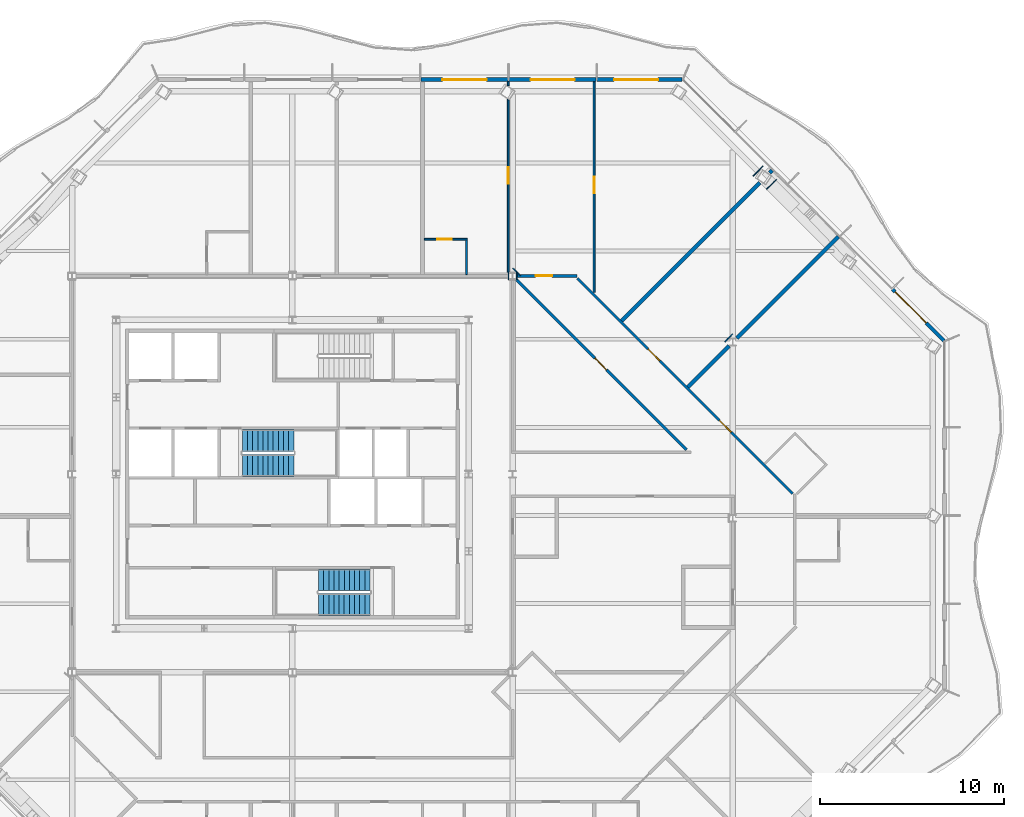
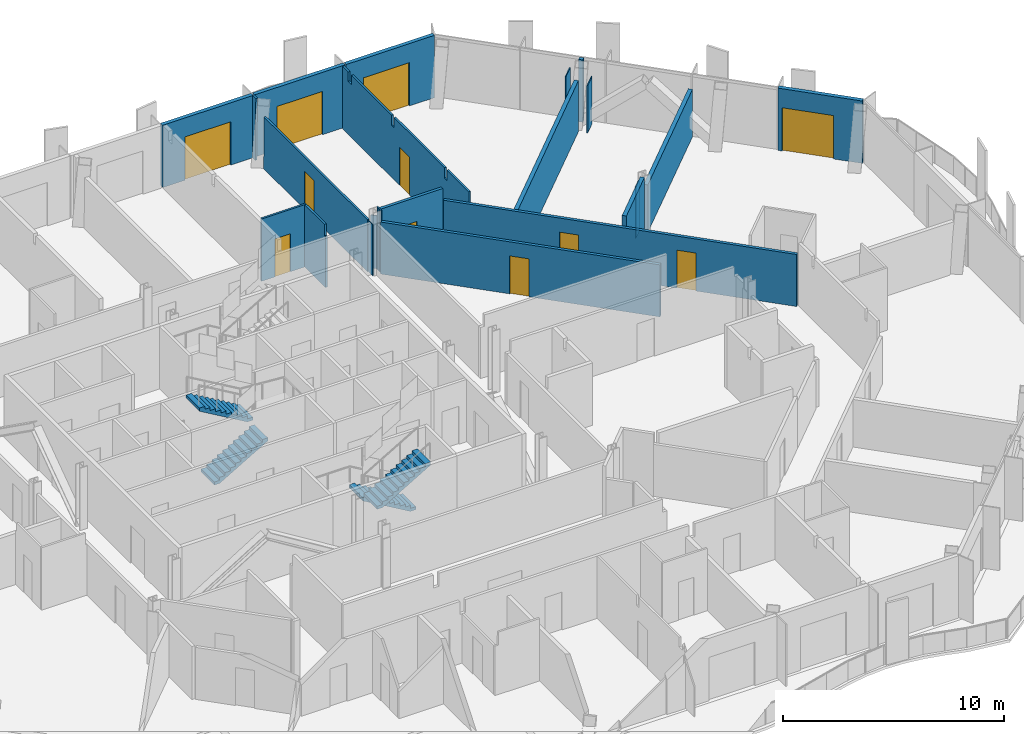
# One storey, part 12 of 19: 22 walls, 11 doors, 4 stair flights, 11 openings, 2 elements without a shape of their own.
"""IFC4 building model written with IfcOpenShell, lengths in metres."""

from ifc_helpers import new_model, si_unit, direction, frame, frame_2d, origin, place, context, subcontext, project, spatial, polyline, rectangle, outline, extrude, material, layer, layer_set, type_object, element, fill, aggregate, save


model = new_model("IFC4")

# Units and contexts
model_context = context("Model", 3, precision=1e-05, world=origin(), true_north=direction((0.0, 1.0)))
body_context = subcontext(model_context, "Body", "Model", "MODEL_VIEW")
ifc_project = project(units=[si_unit("LENGTHUNIT", "METRE"), si_unit("AREAUNIT", "SQUARE_METRE"), si_unit("VOLUMEUNIT", "CUBIC_METRE"), si_unit("PLANEANGLEUNIT", "RADIAN"), si_unit("MASSUNIT", "GRAM", prefix="KILO")], contexts=[model_context])

# Site, building, storey
site_placement = place(None, origin())
site = spatial("IfcSite", under=ifc_project, at=site_placement, CompositionType="ELEMENT")
building_placement = place(site_placement, origin())
building = spatial("IfcBuilding", under=site, at=building_placement, Name="Cairn Pilgrim Tower", CompositionType="ELEMENT")
storey_placement = place(building_placement, frame((0.0, 0.0, 197.39990234375)))
storey = spatial("IfcBuildingStorey", under=building, at=storey_placement, Name="L50", CompositionType="ELEMENT", Elevation=197.39990234375)

# Wall, opening, door
ifc_material_1 = material(Name="Bronze anodised aluminium insulated sandwich panel with mineral wool fill", Category="aluminium")
ifc_layer_1 = layer(ifc_material_1, 0.199951171875)
ifc_layer_set_1 = layer_set([ifc_layer_1], Name="BRONZE INFILL FRAME WALL 200")
wall_type_1 = type_object("IfcWallType", Name="BRONZE INFILL FRAME WALL 200", PredefinedType="NOTDEFINED", material=ifc_layer_set_1)
wall_1_placement = place(storey_placement, frame((42.69677734375, 9.6748046875, 0.0), z_axis=(0.0, 0.0, 1.0), x_axis=(-0.707137595296, 0.707075965734, 0.0)))
wall_1 = element("IfcWall", 1, at=wall_1_placement, inside=storey, type_object=wall_type_1, Name="Bronze infill frame wall IW-NE1", PredefinedType="NOTDEFINED", context=body_context, shape_type="SweptSolid", body=[
    extrude(rectangle(XDim=3.96142578125, YDim=0.199951171875, at=frame_2d((1.980712890625, 0.0))), origin(), (0.0, 0.0, 1.0), 3.4501953125),
])
opening_1_placement = place(wall_1_placement, frame((1.361572265625, 0.0, 0.0)))
opening_1 = element("IfcOpeningElement", 2, at=opening_1_placement, cuts=wall_1, Name="Opening 5005B2", PredefinedType="OPENING", context=body_context, shape_type="SweptSolid", body=[
    extrude(rectangle(XDim=2.39990234375, YDim=2.39990234375, at=frame_2d((1.199951171875, 1.199951171875))), frame((0.0, 0.10986328125, 0.0), z_axis=(0.0, -1.0, 0.0), x_axis=(1.0, 0.0, 0.0)), (0.0, 0.0, 1.0), 0.219970703125),
])
ifc_material_2 = material(Name="Bronze anodised aluminium frame with tinted low-E glass", Category="aluminium")
door_type_1 = type_object("IfcDoorType", Name="BALCONY SLIDING DOOR 2400x2400", OperationType="DOUBLE_DOOR_SLIDING", PredefinedType="DOOR", material=ifc_material_2)
door_1_placement = place(opening_1_placement, origin())
door_1 = element("IfcDoor", 3, at=door_1_placement, inside=storey, type_object=door_type_1, Name="Balcony sliding door 5005B2", OperationType="SINGLE_SWING_LEFT", OverallHeight=2.39990234375, OverallWidth=2.39990234375, PredefinedType="DOOR", context=body_context, shape_type="SweptSolid", body=[
    extrude(rectangle(XDim=2.39990234375, YDim=2.39990234375, at=frame_2d((1.199951171875, 1.199951171875))), frame((0.0, 0.02490234375, 0.0), z_axis=(0.0, -1.0, 0.0), x_axis=(1.0, 0.0, 0.0)), (0.0, 0.0, 1.0), 0.050048828125),
])
fill(opening_1, door_1)

wall_2_placement = place(storey_placement, frame((28.431396484375, 23.89990234375, 0.0), z_axis=(0.0, 0.0, 1.0), x_axis=(-1.0, 0.0, 0.0)))
wall_2 = element("IfcWall", 4, at=wall_2_placement, inside=storey, type_object=wall_type_1, Name="Bronze infill frame wall IW-N1", PredefinedType="NOTDEFINED", context=body_context, shape_type="SweptSolid", body=[
    extrude(rectangle(XDim=4.62646484375, YDim=0.199951171875, at=frame_2d((2.313232421875, 0.0))), origin(), (0.0, 0.0, 1.0), 3.4501953125),
])
opening_2_placement = place(wall_2_placement, frame((1.308349609375, 0.0, 0.0)))
opening_2 = element("IfcOpeningElement", 5, at=opening_2_placement, cuts=wall_2, Name="Opening 5007B", PredefinedType="OPENING", context=body_context, shape_type="SweptSolid", body=[
    extrude(rectangle(XDim=2.39990234375, YDim=2.39990234375, at=frame_2d((1.199951171875, 1.199951171875))), frame((0.0, 0.10986328125, 0.0), z_axis=(0.0, -1.0, 0.0), x_axis=(1.0, 0.0, 0.0)), (0.0, 0.0, 1.0), 0.219970703125),
])
door_2_placement = place(opening_2_placement, origin())
door_2 = element("IfcDoor", 6, at=door_2_placement, inside=storey, type_object=door_type_1, Name="Balcony sliding door 5007B", OperationType="SINGLE_SWING_LEFT", OverallHeight=2.39990234375, OverallWidth=2.39990234375, PredefinedType="DOOR", context=body_context, shape_type="SweptSolid", body=[
    extrude(rectangle(XDim=2.39990234375, YDim=2.39990234375, at=frame_2d((1.199951171875, 1.199951171875))), frame((0.0, 0.02490234375, 0.0), z_axis=(0.0, -1.0, 0.0), x_axis=(1.0, 0.0, 0.0)), (0.0, 0.0, 1.0), 0.050048828125),
])
fill(opening_2, door_2)

wall_3_placement = place(storey_placement, frame((23.7451171875, 23.89990234375, 0.0), z_axis=(0.0, 0.0, 1.0), x_axis=(-1.0, 0.0, 0.0)))
wall_3 = element("IfcWall", 7, at=wall_3_placement, inside=storey, type_object=wall_type_1, Name="Bronze infill frame wall IW-N2", PredefinedType="NOTDEFINED", context=body_context, shape_type="SweptSolid", body=[
    extrude(rectangle(XDim=4.740234375, YDim=0.199951171875, at=frame_2d((2.3701171875, 0.0))), origin(), (0.0, 0.0, 1.0), 3.4501953125),
])
opening_3_placement = place(wall_3_placement, frame((1.169921875, 0.0, 0.0)))
opening_3 = element("IfcOpeningElement", 8, at=opening_3_placement, cuts=wall_3, Name="Opening 5008B", PredefinedType="OPENING", context=body_context, shape_type="SweptSolid", body=[
    extrude(rectangle(XDim=2.39990234375, YDim=2.39990234375, at=frame_2d((1.199951171875, 1.199951171875))), frame((0.0, 0.10986328125, 0.0), z_axis=(0.0, -1.0, 0.0), x_axis=(1.0, 0.0, 0.0)), (0.0, 0.0, 1.0), 0.219970703125),
])
door_3_placement = place(opening_3_placement, origin())
door_3 = element("IfcDoor", 9, at=door_3_placement, inside=storey, type_object=door_type_1, Name="Balcony sliding door 5008B", OperationType="SINGLE_SWING_LEFT", OverallHeight=2.39990234375, OverallWidth=2.39990234375, PredefinedType="DOOR", context=body_context, shape_type="SweptSolid", body=[
    extrude(rectangle(XDim=2.39990234375, YDim=2.39990234375, at=frame_2d((1.199951171875, 1.199951171875))), frame((0.0, 0.02490234375, 0.0), z_axis=(0.0, -1.0, 0.0), x_axis=(1.0, 0.0, 0.0)), (0.0, 0.0, 1.0), 0.050048828125),
])
fill(opening_3, door_3)

wall_4_placement = place(storey_placement, frame((18.945068359375, 23.89990234375, 0.0), z_axis=(0.0, 0.0, 1.0), x_axis=(-1.0, 0.0, 0.0)))
wall_4 = element("IfcWall", 10, at=wall_4_placement, inside=storey, type_object=wall_type_1, Name="Bronze infill frame wall IW-N3", PredefinedType="NOTDEFINED", context=body_context, shape_type="SweptSolid", body=[
    extrude(rectangle(XDim=4.739990234375, YDim=0.199951171875, at=frame_2d((2.3701171875, 0.0))), origin(), (0.0, 0.0, 1.0), 3.4501953125),
])
opening_4_placement = place(wall_4_placement, frame((1.169921875, 0.0, 0.0)))
opening_4 = element("IfcOpeningElement", 11, at=opening_4_placement, cuts=wall_4, Name="Opening 5008SB", PredefinedType="OPENING", context=body_context, shape_type="SweptSolid", body=[
    extrude(rectangle(XDim=2.39990234375, YDim=2.39990234375, at=frame_2d((1.199951171875, 1.199951171875))), frame((0.0, 0.10986328125, 0.0), z_axis=(0.0, -1.0, 0.0), x_axis=(1.0, 0.0, 0.0)), (0.0, 0.0, 1.0), 0.219970703125),
])
door_4_placement = place(opening_4_placement, origin())
door_4 = element("IfcDoor", 12, at=door_4_placement, inside=storey, type_object=door_type_1, Name="Balcony sliding door 5008SB", OperationType="SINGLE_SWING_LEFT", OverallHeight=2.39990234375, OverallWidth=2.39990234375, PredefinedType="DOOR", context=body_context, shape_type="SweptSolid", body=[
    extrude(rectangle(XDim=2.39990234375, YDim=2.39990234375, at=frame_2d((1.199951171875, 1.199951171875))), frame((0.0, 0.02490234375, 0.0), z_axis=(0.0, -1.0, 0.0), x_axis=(1.0, 0.0, 0.0)), (0.0, 0.0, 1.0), 0.050048828125),
])
fill(opening_4, door_4)

ifc_material_3 = material(Name="Gypsum partition")
ifc_layer_2 = layer(ifc_material_3, 0.10009765625)
ifc_layer_set_2 = layer_set([ifc_layer_2], Name="PARTITION 100 DRYWALL")
wall_type_2 = type_object("IfcWallType", Name="PARTITION 100 DRYWALL", PredefinedType="PARTITIONING", material=ifc_layer_set_2)
wall_5_placement = place(storey_placement, frame((23.638916015625, 12.31103515625, 0.0), z_axis=(0.0, 0.0, 1.0), x_axis=(0.0, 1.0, 0.0)))
wall_5 = element("IfcWall", 13, at=wall_5_placement, inside=storey, type_object=wall_type_2, Name="PARTITION W073", PredefinedType="PARTITIONING", context=body_context, shape_type="SweptSolid", body=[
    extrude(outline(polyline([(0.0, 0.0), (11.458984375, 0.0), (11.458984375, 3.4501953125), (10.93896484375, 3.4501953125), (10.93701171875, 2.93017578125), (10.638916015625, 2.93017578125), (10.636962890625, 3.4501953125), (6.993896484375, 3.4501953125), (6.991943359375, 2.880126953125), (6.783935546875, 2.880126953125), (6.781982421875, 3.4501953125), (2.19384765625, 3.4501953125), (2.19189453125, 2.880126953125), (1.98388671875, 2.880126953125), (1.98193359375, 3.4501953125), (0.0, 3.4501953125), (0.0, 0.0)])), frame((0.0, 0.050048828125, 0.0), z_axis=(0.0, -1.0, 0.0), x_axis=(1.0, 0.0, 0.0)), (0.0, 0.0, 1.0), 0.10009765625),
])
opening_5_placement = place(wall_5_placement, frame((5.391845703125, 0.0, 0.0)))
opening_5 = element("IfcOpeningElement", 14, at=opening_5_placement, cuts=wall_5, Name="Opening 5007", PredefinedType="OPENING", context=body_context, shape_type="SweptSolid", body=[
    extrude(rectangle(XDim=0.89990234375, YDim=2.10009765625, at=frame_2d((0.449951171875, 1.050048828125))), frame((0.0, 0.06005859375, 0.0), z_axis=(0.0, -1.0, 0.0), x_axis=(1.0, 0.0, 0.0)), (0.0, 0.0, 1.0), 0.1201171875),
])
ifc_material_4 = material(Name="Timber door leaf", Category="wood")
door_type_2 = type_object("IfcDoorType", Name="SERVICE DOOR 900x2100", OperationType="NOTDEFINED", PredefinedType="DOOR", material=ifc_material_4)
door_5_placement = place(opening_5_placement, frame((0.89990234375, 0.0, 0.0), z_axis=(0.0, 0.0, 1.0), x_axis=(-1.0, 0.0, 0.0)))
door_5 = element("IfcDoor", 15, at=door_5_placement, inside=storey, type_object=door_type_2, Name="DOOR 5007", OperationType="SINGLE_SWING_RIGHT", OverallHeight=2.10009765625, OverallWidth=0.89990234375, PredefinedType="DOOR", context=body_context, shape_type="SweptSolid", body=[
    extrude(rectangle(XDim=0.89990234375, YDim=2.10009765625, at=frame_2d((0.449951171875, 1.050048828125))), frame((0.0, 0.02490234375, 0.0), z_axis=(0.0, -1.0, 0.0), x_axis=(1.0, 0.0, 0.0)), (0.0, 0.0, 1.0), 0.050048828125),
])
fill(opening_5, door_5)

# Wall
wall_6_placement = place(storey_placement, frame((16.68798828125, 13.27490234375, 0.0), z_axis=(0.0, 0.0, 1.0), x_axis=(0.0, 1.0, 0.0)))
element("IfcWall", 16, at=wall_6_placement, inside=storey, type_object=wall_type_2, Name="PARTITION W081", PredefinedType="PARTITIONING", context=body_context, shape_type="SweptSolid", body=[
    extrude(outline(polyline([(0.0, 0.0), (1.875, 0.0), (1.875, 3.4501953125), (0.074951171875, 3.4501953125), (0.072998046875, 2.830078125), (0.0, 2.830078125), (0.0, 0.0)])), frame((0.0, 0.050048828125, 0.0), z_axis=(0.0, -1.0, 0.0), x_axis=(1.0, 0.0, 0.0)), (0.0, 0.0, 1.0), 0.10009765625),
])

# Wall, opening, door
wall_7_placement = place(storey_placement, frame((18.962890625, 13.396484375, 0.0), z_axis=(0.0, 0.0, 1.0), x_axis=(0.0, 1.0, 0.0)))
wall_7 = element("IfcWall", 17, at=wall_7_placement, inside=storey, type_object=wall_type_2, Name="PARTITION W082", PredefinedType="PARTITIONING", context=body_context, shape_type="SweptSolid", body=[
    extrude(outline(polyline([(0.0, 0.0), (9.430908203125, 0.0), (9.39501953125, 0.862548828125), (9.384765625, 1.72509765625), (9.384765625, 2.587646484375), (9.384765625, 2.880126953125), (0.0, 2.880126953125), (0.0, 2.587646484375), (0.0, 1.72509765625), (0.0, 0.862548828125), (0.0, 0.0)])), frame((0.0, 0.050048828125, 0.0), z_axis=(0.0, -1.0, 0.0), x_axis=(1.0, 0.0, 0.0)), (0.0, 0.0, 1.0), 0.10009765625),
])
opening_6_placement = place(wall_7_placement, frame((4.82861328125, 0.0, 0.0)))
opening_6 = element("IfcOpeningElement", 18, at=opening_6_placement, cuts=wall_7, Name="Opening 5008C", PredefinedType="OPENING", context=body_context, shape_type="SweptSolid", body=[
    extrude(rectangle(XDim=0.89990234375, YDim=2.10009765625, at=frame_2d((0.449951171875, 1.050048828125))), frame((0.0, 0.06005859375, 0.0), z_axis=(0.0, -1.0, 0.0), x_axis=(1.0, 0.0, 0.0)), (0.0, 0.0, 1.0), 0.1201171875),
])
door_6_placement = place(opening_6_placement, frame((0.89990234375, 0.0, 0.0), z_axis=(0.0, 0.0, 1.0), x_axis=(-1.0, 0.0, 0.0)))
door_6 = element("IfcDoor", 19, at=door_6_placement, inside=storey, type_object=door_type_2, Name="DOOR 5008C", OperationType="SINGLE_SWING_LEFT", OverallHeight=2.10009765625, OverallWidth=0.89990234375, PredefinedType="DOOR", context=body_context, shape_type="SweptSolid", body=[
    extrude(rectangle(XDim=0.89990234375, YDim=2.10009765625, at=frame_2d((0.449951171875, 1.050048828125))), frame((0.0, 0.02490234375, 0.0), z_axis=(0.0, -1.0, 0.0), x_axis=(1.0, 0.0, 0.0)), (0.0, 0.0, 1.0), 0.050048828125),
])
fill(opening_6, door_6)

wall_8_placement = place(storey_placement, frame((14.387939453125, 15.199951171875, 0.0), z_axis=(0.0, 0.0, 1.0), x_axis=(1.0, 0.0, 0.0)))
wall_8 = element("IfcWall", 20, at=wall_8_placement, inside=storey, type_object=wall_type_2, Name="PARTITION W083", PredefinedType="PARTITIONING", context=body_context, shape_type="SweptSolid", body=[
    extrude(rectangle(XDim=2.35009765625, YDim=0.10009765625, at=frame_2d((1.175048828125, 0.0))), origin(), (0.0, 0.0, 1.0), 3.4501953125),
])
opening_7_placement = place(wall_8_placement, frame((0.699951171875, 0.0, 0.0)))
opening_7 = element("IfcOpeningElement", 21, at=opening_7_placement, cuts=wall_8, Name="Opening 5008A", PredefinedType="OPENING", context=body_context, shape_type="SweptSolid", body=[
    extrude(rectangle(XDim=0.800048828125, YDim=2.10009765625, at=frame_2d((0.39990234375, 1.050048828125))), frame((0.0, 0.06005859375, 0.0), z_axis=(0.0, -1.0, 0.0), x_axis=(1.0, 0.0, 0.0)), (0.0, 0.0, 1.0), 0.1201171875),
])
door_type_3 = type_object("IfcDoorType", Name="WC DOOR 800x2100", OperationType="NOTDEFINED", PredefinedType="DOOR", material=ifc_material_4)
door_7_placement = place(opening_7_placement, origin())
door_7 = element("IfcDoor", 22, at=door_7_placement, inside=storey, type_object=door_type_3, Name="DOOR 5008A", OperationType="SINGLE_SWING_LEFT", OverallHeight=2.10009765625, OverallWidth=0.800048828125, PredefinedType="DOOR", context=body_context, shape_type="SweptSolid", body=[
    extrude(rectangle(XDim=0.800048828125, YDim=2.10009765625, at=frame_2d((0.39990234375, 1.050048828125))), frame((0.0, 0.02490234375, 0.0), z_axis=(0.0, -1.0, 0.0), x_axis=(1.0, 0.0, 0.0)), (0.0, 0.0, 1.0), 0.050048828125),
])
fill(opening_7, door_7)

# Wall
wall_9_placement = place(storey_placement, frame((18.962890625, 23.5166015625, 0.0), z_axis=(0.0, 0.0, 1.0), x_axis=(0.0, 1.0, 0.0)))
element("IfcWall", 23, at=wall_9_placement, inside=storey, type_object=wall_type_2, Name="PARTITION W087", PredefinedType="PARTITIONING", context=body_context, shape_type="SweptSolid", body=[
    extrude(outline(polyline([(0.052490234375, 0.0), (0.283447265625, 0.0), (0.283447265625, 0.862548828125), (0.283447265625, 1.72509765625), (0.283447265625, 2.587646484375), (0.283447265625, 3.4501953125), (0.0, 3.4501953125), (0.035888671875, 2.587646484375), (0.052490234375, 1.72509765625), (0.052490234375, 0.862548828125), (0.052490234375, 0.0)])), frame((0.0, 0.050048828125, 0.0), z_axis=(0.0, -1.0, 0.0), x_axis=(1.0, 0.0, 0.0)), (0.0, 0.0, 1.0), 0.10009765625),
])

# Wall, openings, doors
ifc_layer_3 = layer(ifc_material_3, 0.14990234375)
ifc_layer_set_3 = layer_set([ifc_layer_3], Name="PARTITION 150 DRYWALL EI 60")
wall_type_3 = type_object("IfcWallType", Name="PARTITION 150 DRYWALL EI 60", PredefinedType="PARTITIONING", material=ifc_layer_set_3)
wall_10_placement = place(storey_placement, frame((34.447021484375, 1.346923828125, 0.0), z_axis=(0.0, 0.0, 1.0), x_axis=(-0.707106781187, 0.707106781187, 0.0)))
wall_10 = element("IfcWall", 24, at=wall_10_placement, inside=storey, type_object=wall_type_3, Name="PARTITION W061", PredefinedType="PARTITIONING", context=body_context, shape_type="SweptSolid", body=[
    extrude(rectangle(XDim=16.581787109375, YDim=0.14990234375, at=frame_2d((8.291015625, 0.0))), origin(), (0.0, 0.0, 1.0), 2.880126953125),
])
opening_8_placement = place(wall_10_placement, frame((4.7255859375, 0.0, 0.0)))
opening_8 = element("IfcOpeningElement", 25, at=opening_8_placement, cuts=wall_10, Name="Opening 5005", PredefinedType="OPENING", context=body_context, shape_type="SweptSolid", body=[
    extrude(rectangle(XDim=0.89990234375, YDim=2.10009765625, at=frame_2d((0.449951171875, 1.050048828125))), frame((0.0, 0.0849609375, 0.0), z_axis=(0.0, -1.0, 0.0), x_axis=(1.0, 0.0, 0.0)), (0.0, 0.0, 1.0), 0.169921875),
])
opening_9_placement = place(wall_10_placement, frame((10.2314453125, 0.0, 0.0)))
opening_9 = element("IfcOpeningElement", 26, at=opening_9_placement, cuts=wall_10, Name="Opening 5006", PredefinedType="OPENING", context=body_context, shape_type="SweptSolid", body=[
    extrude(rectangle(XDim=0.89990234375, YDim=2.10009765625, at=frame_2d((0.449951171875, 1.050048828125))), frame((0.0, 0.0849609375, 0.0), z_axis=(0.0, -1.0, 0.0), x_axis=(1.0, 0.0, 0.0)), (0.0, 0.0, 1.0), 0.169921875),
])
door_type_4 = type_object("IfcDoorType", Name="ROOM DOOR 900x2100 FD30S", OperationType="NOTDEFINED", PredefinedType="DOOR", material=ifc_material_4)
door_8_placement = place(opening_8_placement, frame((0.89990234375, 0.0, 0.0), z_axis=(0.0, 0.0, 1.0), x_axis=(-1.0, 0.0, 0.0)))
door_8 = element("IfcDoor", 27, at=door_8_placement, inside=storey, type_object=door_type_4, Name="DOOR 5005", OperationType="SINGLE_SWING_LEFT", OverallHeight=2.10009765625, OverallWidth=0.89990234375, PredefinedType="DOOR", context=body_context, shape_type="SweptSolid", body=[
    extrude(rectangle(XDim=0.89990234375, YDim=2.10009765625, at=frame_2d((0.449951171875, 1.050048828125))), frame((0.0, 0.02490234375, 0.0), z_axis=(0.0, -1.0, 0.0), x_axis=(1.0, 0.0, 0.0)), (0.0, 0.0, 1.0), 0.050048828125),
])
fill(opening_8, door_8)
door_type_5 = type_object("IfcDoorType", Name="SERVICE DOOR 900x2100 FD30S", OperationType="NOTDEFINED", PredefinedType="DOOR", material=ifc_material_4)
door_9_placement = place(opening_9_placement, frame((0.89990234375, 0.0, 0.0), z_axis=(0.0, 0.0, 1.0), x_axis=(-1.0, 0.0, 0.0)))
door_9 = element("IfcDoor", 28, at=door_9_placement, inside=storey, type_object=door_type_5, Name="DOOR 5006", OperationType="SINGLE_SWING_LEFT", OverallHeight=2.10009765625, OverallWidth=0.89990234375, PredefinedType="DOOR", context=body_context, shape_type="SweptSolid", body=[
    extrude(rectangle(XDim=0.89990234375, YDim=2.10009765625, at=frame_2d((0.449951171875, 1.050048828125))), frame((0.0, 0.02490234375, 0.0), z_axis=(0.0, -1.0, 0.0), x_axis=(1.0, 0.0, 0.0)), (0.0, 0.0, 1.0), 0.050048828125),
])
fill(opening_9, door_9)

# Wall, opening, door
wall_11_placement = place(storey_placement, frame((28.672119140625, 3.72802734375, 0.0), z_axis=(0.0, 0.0, 1.0), x_axis=(-0.707116088468, 0.707097473782, 0.0)))
wall_11 = element("IfcWall", 29, at=wall_11_placement, inside=storey, type_object=wall_type_3, Name="PARTITION W068", PredefinedType="PARTITIONING", context=body_context, shape_type="SweptSolid", body=[
    extrude(rectangle(XDim=13.115478515625, YDim=0.14990234375, at=frame_2d((6.5576171875, 0.0))), origin(), (0.0, 0.0, 1.0), 2.880126953125),
])
opening_10_placement = place(wall_11_placement, frame((6.156982421875, 0.0, 0.0)))
opening_10 = element("IfcOpeningElement", 30, at=opening_10_placement, cuts=wall_11, Name="Opening 5022", PredefinedType="OPENING", context=body_context, shape_type="SweptSolid", body=[
    extrude(rectangle(XDim=0.89990234375, YDim=2.10009765625, at=frame_2d((0.449951171875, 1.050048828125))), frame((0.0, 0.0849609375, 0.0), z_axis=(0.0, -1.0, 0.0), x_axis=(1.0, 0.0, 0.0)), (0.0, 0.0, 1.0), 0.169921875),
])
door_10_placement = place(opening_10_placement, origin())
door_10 = element("IfcDoor", 31, at=door_10_placement, inside=storey, type_object=door_type_5, Name="DOOR 5022", OperationType="SINGLE_SWING_LEFT", OverallHeight=2.10009765625, OverallWidth=0.89990234375, PredefinedType="DOOR", context=body_context, shape_type="SweptSolid", body=[
    extrude(rectangle(XDim=0.89990234375, YDim=2.10009765625, at=frame_2d((0.449951171875, 1.050048828125))), frame((0.0, 0.02490234375, 0.0), z_axis=(0.0, -1.0, 0.0), x_axis=(1.0, 0.0, 0.0)), (0.0, 0.0, 1.0), 0.050048828125),
])
fill(opening_10, door_10)

wall_12_placement = place(storey_placement, frame((19.3994140625, 13.199951171875, 0.0), z_axis=(0.0, 0.0, 1.0), x_axis=(1.0, 0.0, 0.0)))
wall_12 = element("IfcWall", 32, at=wall_12_placement, inside=storey, type_object=wall_type_3, Name="PARTITION W076", PredefinedType="PARTITIONING", context=body_context, shape_type="SweptSolid", body=[
    extrude(rectangle(XDim=3.30078125, YDim=0.14990234375, at=frame_2d((1.650390625, 0.0))), origin(), (0.0, 0.0, 1.0), 3.4501953125),
])
opening_11_placement = place(wall_12_placement, frame((1.047607421875, 0.0, 0.0)))
opening_11 = element("IfcOpeningElement", 33, at=opening_11_placement, cuts=wall_12, Name="Opening 5008", PredefinedType="OPENING", context=body_context, shape_type="SweptSolid", body=[
    extrude(rectangle(XDim=0.89990234375, YDim=2.10009765625, at=frame_2d((0.449951171875, 1.050048828125))), frame((0.0, 0.0849609375, 0.0), z_axis=(0.0, -1.0, 0.0), x_axis=(1.0, 0.0, 0.0)), (0.0, 0.0, 1.0), 0.169921875),
])
door_11_placement = place(opening_11_placement, origin())
door_11 = element("IfcDoor", 34, at=door_11_placement, inside=storey, type_object=door_type_4, Name="DOOR 5008", OperationType="SINGLE_SWING_LEFT", OverallHeight=2.10009765625, OverallWidth=0.89990234375, PredefinedType="DOOR", context=body_context, shape_type="SweptSolid", body=[
    extrude(rectangle(XDim=0.89990234375, YDim=2.10009765625, at=frame_2d((0.449951171875, 1.050048828125))), frame((0.0, 0.02490234375, 0.0), z_axis=(0.0, -1.0, 0.0), x_axis=(1.0, 0.0, 0.0)), (0.0, 0.0, 1.0), 0.050048828125),
])
fill(opening_11, door_11)

# Walls
ifc_layer_4 = layer(ifc_material_3, 0.050048828125)
ifc_layer_set_4 = layer_set([ifc_layer_4], Name="PARTITION 50 DRYWALL")
wall_type_4 = type_object("IfcWallType", Name="PARTITION 50 DRYWALL", PredefinedType="PARTITIONING", material=ifc_layer_set_4)
wall_13_placement = place(storey_placement, frame((19.424560546875, 13.00341796875, 0.0), z_axis=(0.0, 0.0, 1.0), x_axis=(0.0, 1.0, 0.0)))
element("IfcWall", 35, at=wall_13_placement, inside=storey, type_object=wall_type_4, Name="COLUMN CASING WC24", PredefinedType="PARTITIONING", context=body_context, shape_type="SweptSolid", body=[
    extrude(rectangle(XDim=0.39306640625, YDim=0.050048828125, at=frame_2d((0.196533203125, 0.0))), origin(), (0.0, 0.0, 1.0), 3.4501953125),
])
ifc_layer_5 = layer(ifc_material_3, 0.050048828125)
ifc_layer_set_5 = layer_set([ifc_layer_5], Name="PARTITION 50 DRYWALL EI 60")
wall_type_5 = type_object("IfcWallType", Name="PARTITION 50 DRYWALL EI 60", PredefinedType="PARTITIONING", material=ifc_layer_set_5)
wall_14_placement = place(storey_placement, frame((18.9755859375, 13.00341796875, 0.0), z_axis=(0.0, 0.0, 1.0), x_axis=(0.0, 1.0, 0.0)))
element("IfcWall", 36, at=wall_14_placement, inside=storey, type_object=wall_type_5, Name="COLUMN CASING WC16", PredefinedType="PARTITIONING", context=body_context, shape_type="SweptSolid", body=[
    extrude(rectangle(XDim=0.39306640625, YDim=0.050048828125, at=frame_2d((0.196533203125, 0.0))), origin(), (0.0, 0.0, 1.0), 2.830078125),
])
wall_15_placement = place(storey_placement, frame((19.61376953125, 13.2177734375, 0.0), z_axis=(0.0, 0.0, 1.0), x_axis=(-0.707106781187, 0.707106781187, 0.0)))
element("IfcWall", 37, at=wall_15_placement, inside=storey, type_object=wall_type_5, Name="COLUMN CASING WC17", PredefinedType="PARTITIONING", context=body_context, shape_type="SweptSolid", body=[
    extrude(rectangle(XDim=0.56005859375, YDim=0.050048828125, at=frame_2d((0.280029296875, 0.0))), origin(), (0.0, 0.0, 1.0), 2.93017578125),
])
wall_16_placement = place(storey_placement, frame((30.765380859375, 9.61767578125, 0.0), z_axis=(0.0, 0.0, 1.0), x_axis=(0.707106781187, 0.707106781187, 0.0)))
element("IfcWall", 38, at=wall_16_placement, inside=storey, type_object=wall_type_5, Name="COLUMN CASING WC18", PredefinedType="PARTITIONING", context=body_context, shape_type="SweptSolid", body=[
    extrude(rectangle(XDim=0.589599609375, YDim=0.050048828125, at=frame_2d((0.294921875, 0.0))), origin(), (0.0, 0.0, 1.0), 2.830078125),
])
wall_17_placement = place(storey_placement, frame((32.308837890625, 18.643798828125, 0.0), z_axis=(0.0, 0.0, 1.0), x_axis=(0.707106781187, 0.707106781187, 0.0)))
element("IfcWall", 39, at=wall_17_placement, inside=storey, type_object=wall_type_5, Name="COLUMN CASING WC19", PredefinedType="PARTITIONING", context=body_context, shape_type="SweptSolid", body=[
    extrude(rectangle(XDim=0.759521484375, YDim=0.050048828125, at=frame_2d((0.3798828125, 0.0))), origin(), (0.0, 0.0, 1.0), 2.93017578125),
])
wall_18_placement = place(storey_placement, frame((33.031982421875, 17.920654296875, 0.0), z_axis=(0.0, 0.0, 1.0), x_axis=(0.707267505531, 0.706946020301, 0.0)))
element("IfcWall", 40, at=wall_18_placement, inside=storey, type_object=wall_type_5, Name="COLUMN CASING WC20", PredefinedType="PARTITIONING", context=body_context, shape_type="SweptSolid", body=[
    extrude(rectangle(XDim=0.759521484375, YDim=0.050048828125, at=frame_2d((0.3798828125, 0.0))), origin(), (0.0, 0.0, 1.0), 2.630126953125),
])
ifc_layer_6 = layer(ifc_material_3, 0.199951171875)
ifc_layer_set_6 = layer_set([ifc_layer_6], Name="SHAFT WALL 200 GYPSUM EI 60")
wall_type_6 = type_object("IfcWallType", Name="SHAFT WALL 200 GYPSUM EI 60", PredefinedType="PARTITIONING", material=ifc_layer_set_6)
wall_19_placement = place(storey_placement, frame((28.75, 7.14990234375, 0.0), z_axis=(0.0, 0.0, 1.0), x_axis=(0.707068272989, 0.707145287287, 0.0)))
element("IfcWall", 41, at=wall_19_placement, inside=storey, type_object=wall_type_6, Name="PARTITION W069", PredefinedType="PARTITIONING", context=body_context, shape_type="SweptSolid", body=[
    extrude(rectangle(XDim=3.170166015625, YDim=0.199951171875, at=frame_2d((1.5849609375, 0.0))), origin(), (0.0, 0.0, 1.0), 3.4501953125),
])
wall_20_placement = place(storey_placement, frame((31.408447265625, 9.80859375, 0.0), z_axis=(0.0, 0.0, 1.0), x_axis=(0.707122376321, 0.707091185708, 0.0)))
element("IfcWall", 42, at=wall_20_placement, inside=storey, type_object=wall_type_6, Name="PARTITION W071", PredefinedType="PARTITIONING", context=body_context, shape_type="SweptSolid", body=[
    extrude(rectangle(XDim=7.827392578125, YDim=0.199951171875, at=frame_2d((3.91357421875, 0.0))), origin(), (0.0, 0.0, 1.0), 2.630126953125),
])
wall_21_placement = place(storey_placement, frame((25.14404296875, 10.756103515625, 0.0), z_axis=(0.0, 0.0, 1.0), x_axis=(0.707152654019, 0.707060905378, 0.0)))
element("IfcWall", 43, at=wall_21_placement, inside=storey, type_object=wall_type_6, Name="PARTITION W072", PredefinedType="PARTITIONING", context=body_context, shape_type="SweptSolid", body=[
    extrude(rectangle(XDim=10.643798828125, YDim=0.199951171875, at=frame_2d((5.32177734375, 0.0))), origin(), (0.0, 0.0, 1.0), 2.830078125),
])
wall_22_placement = place(storey_placement, frame((33.207763671875, 18.81884765625, 0.0), z_axis=(0.0, 0.0, 1.0), x_axis=(0.70777041921, 0.706442519737, 0.0)))
element("IfcWall", 44, at=wall_22_placement, inside=storey, type_object=wall_type_6, Name="PARTITION W085", PredefinedType="PARTITIONING", context=body_context, shape_type="SweptSolid", body=[
    extrude(rectangle(XDim=0.183837890625, YDim=0.199951171875, at=frame_2d((0.091796875, 0.0))), origin(), (0.0, 0.0, 1.0), 3.4501953125),
])

# Stair, stair flights
ifc_material_5 = material(Name="Concrete C32/40", Category="concrete")
stair_type = type_object("IfcStairType", Name="EXIT STAIR 1200", PredefinedType="HALF_TURN_STAIR", material=ifc_material_5)
stair_1_placement = place(storey_placement, origin())
stair_1 = element("IfcStair", 45, at=stair_1_placement, inside=storey, type_object=stair_type, Name="L50 Exit Stair A", PredefinedType="HALF_TURN_STAIR")
stair_flight_type = type_object("IfcStairFlightType", Name="STAIR FLIGHT 1200", PredefinedType="STRAIGHT", material=ifc_material_5)
stair_flight_1_placement = place(storey_placement, frame((11.425048828125, -3.375, 0.0), z_axis=(0.0, 0.0, 1.0), x_axis=(-1.0, 0.0, 0.0)))
stair_flight_1 = element("IfcStairFlight", 46, at=stair_flight_1_placement, type_object=stair_flight_type, Name="ST-A flight 1", NumberOfRisers=11, NumberOfTreads=10, PredefinedType="STRAIGHT", RiserHeight=0.163636364, TreadLength=0.28, context=body_context, shape_type="SweptSolid", body=[
    extrude(outline(polyline([(0.0, 0.0), (0.0, 0.16357421875), (0.280029296875, 0.16357421875), (0.280029296875, 0.327392578125), (0.56005859375, 0.327392578125), (0.56005859375, 0.490966796875), (0.840087890625, 0.490966796875), (0.840087890625, 0.654541015625), (1.1201171875, 0.654541015625), (1.1201171875, 0.818115234375), (1.39990234375, 0.818115234375), (1.39990234375, 0.98193359375), (1.679931640625, 0.98193359375), (1.679931640625, 1.1455078125), (1.9599609375, 1.1455078125), (1.9599609375, 1.30908203125), (2.239990234375, 1.30908203125), (2.239990234375, 1.47265625), (2.52001953125, 1.47265625), (2.52001953125, 1.636474609375), (2.800048828125, 1.636474609375), (2.800048828125, 1.800048828125), (2.800048828125, 1.462646484375), (0.297119140625, 0.0), (0.0, 0.0)])), frame((0.0, 0.60009765625, 0.0), z_axis=(0.0, -1.0, 0.0), x_axis=(1.0, 0.0, 0.0)), (0.0, 0.0, 1.0), 1.199951171875),
])
stair_flight_2_placement = place(storey_placement, frame((8.625, -4.699951171875, 1.800048828125), z_axis=(0.0, 0.0, 1.0), x_axis=(1.0, 0.0, 0.0)))
stair_flight_2 = element("IfcStairFlight", 47, at=stair_flight_2_placement, type_object=stair_flight_type, Name="ST-A flight 2", NumberOfRisers=11, NumberOfTreads=10, PredefinedType="STRAIGHT", RiserHeight=0.163636364, TreadLength=0.28, context=body_context, shape_type="SweptSolid", body=[
    extrude(outline(polyline([(0.0, 0.0), (0.0, 0.16357421875), (0.280029296875, 0.16357421875), (0.280029296875, 0.327392578125), (0.56005859375, 0.327392578125), (0.56005859375, 0.490966796875), (0.840087890625, 0.490966796875), (0.840087890625, 0.654541015625), (1.1201171875, 0.654541015625), (1.1201171875, 0.818115234375), (1.39990234375, 0.818115234375), (1.39990234375, 0.98193359375), (1.679931640625, 0.98193359375), (1.679931640625, 1.1455078125), (1.9599609375, 1.1455078125), (1.9599609375, 1.30908203125), (2.239990234375, 1.30908203125), (2.239990234375, 1.47265625), (2.52001953125, 1.47265625), (2.52001953125, 1.636474609375), (2.800048828125, 1.636474609375), (2.800048828125, 1.800048828125), (2.800048828125, 1.462646484375), (0.297119140625, 0.0), (0.0, 0.0)])), frame((0.0, 0.60009765625, 0.0), z_axis=(0.0, -1.0, 0.0), x_axis=(1.0, 0.0, 0.0)), (0.0, 0.0, 1.0), 1.199951171875),
])
aggregate(stair_1, [stair_flight_1, stair_flight_2])

stair_2_placement = place(storey_placement, origin())
stair_2 = element("IfcStair", 48, at=stair_2_placement, inside=storey, type_object=stair_type, Name="L50 Exit Stair B", PredefinedType="HALF_TURN_STAIR")
stair_flight_3_placement = place(storey_placement, frame((4.47509765625, 2.875, 0.0), z_axis=(0.0, 0.0, 1.0), x_axis=(1.0, 0.0, 0.0)))
stair_flight_3 = element("IfcStairFlight", 49, at=stair_flight_3_placement, type_object=stair_flight_type, Name="ST-B flight 1", NumberOfRisers=11, NumberOfTreads=10, PredefinedType="STRAIGHT", RiserHeight=0.163636364, TreadLength=0.28, context=body_context, shape_type="SweptSolid", body=[
    extrude(outline(polyline([(0.0, 0.0), (0.0, 0.16357421875), (0.280029296875, 0.16357421875), (0.280029296875, 0.327392578125), (0.56005859375, 0.327392578125), (0.56005859375, 0.490966796875), (0.840087890625, 0.490966796875), (0.840087890625, 0.654541015625), (1.1201171875, 0.654541015625), (1.1201171875, 0.818115234375), (1.39990234375, 0.818115234375), (1.39990234375, 0.98193359375), (1.679931640625, 0.98193359375), (1.679931640625, 1.1455078125), (1.9599609375, 1.1455078125), (1.9599609375, 1.30908203125), (2.239990234375, 1.30908203125), (2.239990234375, 1.47265625), (2.52001953125, 1.47265625), (2.52001953125, 1.636474609375), (2.800048828125, 1.636474609375), (2.800048828125, 1.800048828125), (2.800048828125, 1.462646484375), (0.297119140625, 0.0), (0.0, 0.0)])), frame((0.0, 0.60009765625, 0.0), z_axis=(0.0, -1.0, 0.0), x_axis=(1.0, 0.0, 0.0)), (0.0, 0.0, 1.0), 1.199951171875),
])
stair_flight_4_placement = place(storey_placement, frame((7.27490234375, 4.22509765625, 1.800048828125), z_axis=(0.0, 0.0, 1.0), x_axis=(-1.0, 0.0, 0.0)))
stair_flight_4 = element("IfcStairFlight", 50, at=stair_flight_4_placement, type_object=stair_flight_type, Name="ST-B flight 2", NumberOfRisers=11, NumberOfTreads=10, PredefinedType="STRAIGHT", RiserHeight=0.163636364, TreadLength=0.28, context=body_context, shape_type="SweptSolid", body=[
    extrude(outline(polyline([(0.0, 0.0), (0.0, 0.16357421875), (0.280029296875, 0.16357421875), (0.280029296875, 0.327392578125), (0.56005859375, 0.327392578125), (0.56005859375, 0.490966796875), (0.840087890625, 0.490966796875), (0.840087890625, 0.654541015625), (1.1201171875, 0.654541015625), (1.1201171875, 0.818115234375), (1.39990234375, 0.818115234375), (1.39990234375, 0.98193359375), (1.679931640625, 0.98193359375), (1.679931640625, 1.1455078125), (1.9599609375, 1.1455078125), (1.9599609375, 1.30908203125), (2.239990234375, 1.30908203125), (2.239990234375, 1.47265625), (2.52001953125, 1.47265625), (2.52001953125, 1.636474609375), (2.800048828125, 1.636474609375), (2.800048828125, 1.800048828125), (2.800048828125, 1.462646484375), (0.297119140625, 0.0), (0.0, 0.0)])), frame((0.0, 0.60009765625, 0.0), z_axis=(0.0, -1.0, 0.0), x_axis=(1.0, 0.0, 0.0)), (0.0, 0.0, 1.0), 1.199951171875),
])
aggregate(stair_2, [stair_flight_3, stair_flight_4])

save(model, "model.ifc")
